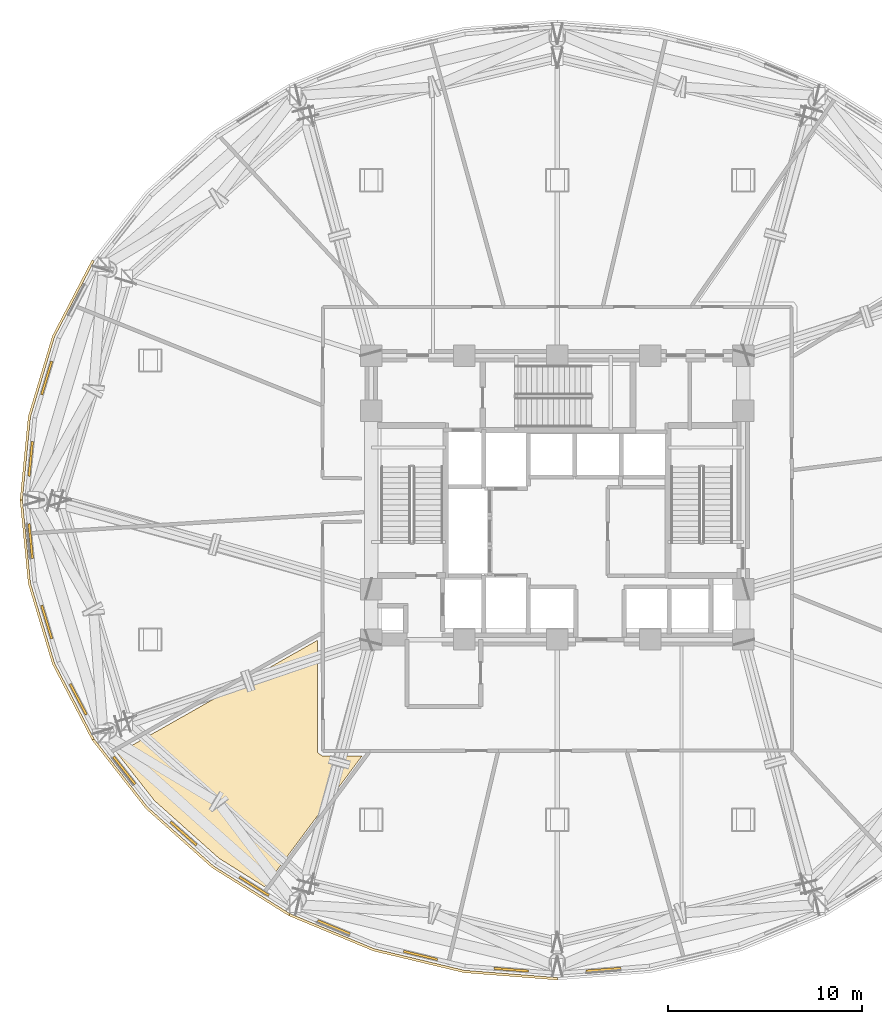
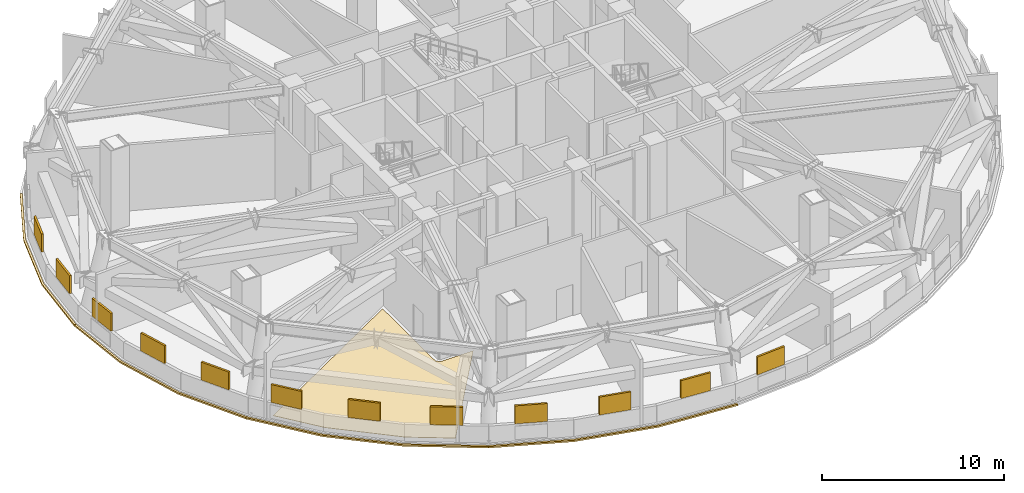
# One storey, part 10 of 14: 12 shading devices, 5 coverings.
"""IFC4 building model written with IfcOpenShell, lengths in metres."""

from ifc_helpers import new_model, si_unit, direction, frame, origin, origin_2d, place, context, subcontext, project, spatial, polyline, rectangle, outline, extrude, material, layer, layer_set, type_object, element, save


model = new_model("IFC4")

# Units and contexts
model_context = context("Model", 3, precision=1e-05, world=origin(), true_north=direction((0.0, 1.0)))
body_context = subcontext(model_context, "Body", "Model", "MODEL_VIEW")
ifc_project = project(units=[si_unit("LENGTHUNIT", "METRE"), si_unit("AREAUNIT", "SQUARE_METRE"), si_unit("VOLUMEUNIT", "CUBIC_METRE"), si_unit("PLANEANGLEUNIT", "RADIAN"), si_unit("MASSUNIT", "GRAM", prefix="KILO")], contexts=[model_context])

# Site, building, storey
site_placement = place(None, origin())
site = spatial("IfcSite", under=ifc_project, at=site_placement, CompositionType="ELEMENT")
building_placement = place(site_placement, origin())
building = spatial("IfcBuilding", under=site, at=building_placement, Name="Vantalir Tower", CompositionType="ELEMENT")
storey_placement = place(building_placement, frame((0.0, 0.0, 90.75)))
storey = spatial("IfcBuildingStorey", under=building, at=storey_placement, Name="L22", CompositionType="ELEMENT", Elevation=90.75)

# Coverings
ifc_material_1 = material(Name="Anodised champagne aluminium sill fascia", Category="aluminium")
ifc_layer_1 = layer(ifc_material_1, 0.125)
ifc_layer_set_1 = layer_set([ifc_layer_1], Name="Anodised champagne aluminium sill fascia")
covering_type_1 = type_object("IfcCoveringType", Name="COV-SLAB-FASCIA-125", PredefinedType="CLADDING", material=ifc_layer_set_1)
covering_1_placement = place(storey_placement, frame((0.0, 0.0, -0.179931640625)))
element("IfcCovering", 1, at=covering_1_placement, inside=storey, type_object=covering_type_1, Name="L22 Perimeter Slab-Edge Sill Fascia 06", PredefinedType="CLADDING", context=body_context, shape_type="SweptSolid", body=[
    extrude(outline(polyline([(7.489013671875, 37.384033203125), (5.447021484375, 33.470947265625), (4.196044921875, 29.301025390625), (3.77490234375, 25.0), (3.89990234375, 25.0), (4.319091796875, 29.279052734375), (5.56396484375, 33.427978515625), (7.597900390625, 37.321044921875), (7.489013671875, 37.384033203125)])), origin(), (0.0, 0.0, 1.0), 0.10498046875),
])
covering_2_placement = place(storey_placement, frame((0.0, 0.0, -0.179931640625)))
element("IfcCovering", 2, at=covering_2_placement, inside=storey, type_object=covering_type_1, Name="L22 Perimeter Slab-Edge Sill Fascia 07", PredefinedType="CLADDING", context=body_context, shape_type="SweptSolid", body=[
    extrude(outline(polyline([(3.77490234375, 25.0), (4.196044921875, 20.698974609375), (5.447021484375, 16.529052734375), (7.489013671875, 12.615966796875), (7.597900390625, 12.677978515625), (5.56396484375, 16.572021484375), (4.319091796875, 20.720947265625), (3.89990234375, 25.0), (3.77490234375, 25.0)])), origin(), (0.0, 0.0, 1.0), 0.10498046875),
])
covering_3_placement = place(storey_placement, frame((0.0, 0.0, -0.179931640625)))
element("IfcCovering", 3, at=covering_3_placement, inside=storey, type_object=covering_type_1, Name="L22 Perimeter Slab-Edge Sill Fascia 08", PredefinedType="CLADDING", context=body_context, shape_type="SweptSolid", body=[
    extrude(outline(polyline([(7.489013671875, 12.615966796875), (10.260986328125, 9.0791015625), (13.678955078125, 6.027099609375), (17.636962890625, 3.550048828125), (17.699951171875, 3.658935546875), (13.759033203125, 6.1220703125), (10.35693359375, 9.159912109375), (7.597900390625, 12.677978515625), (7.489013671875, 12.615966796875)])), origin(), (0.0, 0.0, 1.0), 0.10498046875),
])
covering_4_placement = place(storey_placement, frame((0.0, 0.0, -0.179931640625)))
element("IfcCovering", 4, at=covering_4_placement, inside=storey, type_object=covering_type_1, Name="L22 Perimeter Slab-Edge Sill Fascia 09", PredefinedType="CLADDING", context=body_context, shape_type="SweptSolid", body=[
    extrude(outline(polyline([(17.636962890625, 3.550048828125), (22.01708984375, 1.72607421875), (26.68603515625, 0.60791015625), (31.5, 0.23193359375), (31.5, 0.35693359375), (26.70703125, 0.73095703125), (22.06005859375, 1.843017578125), (17.699951171875, 3.658935546875), (17.636962890625, 3.550048828125)])), origin(), (0.0, 0.0, 1.0), 0.10498046875),
])
ifc_material_2 = material(Name="Tropical teak timber and terrazzo floor finish", Category="wood")
ifc_layer_2 = layer(ifc_material_2, 0.02490234375)
ifc_layer_set_2 = layer_set([ifc_layer_2], Name="Tropical teak timber and terrazzo floor finish")
covering_type_2 = type_object("IfcCoveringType", Name="COV-TIMBER-STONE-25", PredefinedType="FLOORING", material=ifc_layer_set_2)
covering_5_placement = place(storey_placement, origin())
element("IfcCovering", 5, at=covering_5_placement, inside=storey, type_object=covering_type_2, Name="L22 HV Transformer Electrical Plant Room Floor Finish", PredefinedType="FLOORING", context=body_context, shape_type="SweptSolid", body=[
    extrude(outline(polyline([(16.39794921875, 5.0390625), (21.419921875, 11.7900390625), (19.375, 11.7900390625), (19.135986328125, 11.9609375), (19.125, 17.760986328125), (8.805908203125, 11.916015625), (10.708984375, 9.489990234375), (14.048095703125, 6.507080078125), (16.39794921875, 5.0390625)])), origin(), (0.0, 0.0, 1.0), 0.02490234375),
])

# Shading devices
ifc_material_3 = material(Name="Champagne-silver PVDF aluminium storm louvre", Category="aluminium")
ifc_layer_3 = layer(ifc_material_3, 0.1201171875)
ifc_layer_set_3 = layer_set([ifc_layer_3], Name="Champagne-silver PVDF aluminium storm louvre")
shading_device_type = type_object("IfcShadingDeviceType", Name="SHD-STORM-LOUVRE", PredefinedType="JALOUSIE", material=ifc_layer_set_3)
for number, where, z_axis, x_axis, name in (
    (6, (5.153076171875, 31.297119140625, 1.1162109375), (0.0, 0.0, 1.0), (-0.287644698852, -0.957737191103, 0.0), "L22 Acoustic Storm Louvre R17"),
    (7, (4.327880859375, 27.1201171875, 1.1162109375), (0.0, 0.0, 1.0), (-0.09761763969, -0.99522399309, 0.0), "L22 Acoustic Storm Louvre R18"),
    (8, (4.327880859375, 22.8798828125, 1.1162109375), (0.0, 0.0, 1.0), (0.09761763969, -0.99522399309, 0.0), "L22 Acoustic Storm Louvre R19"),
    (9, (5.153076171875, 18.702880859375, 1.1162109375), (0.0, 0.0, 1.0), (0.287644698852, -0.957737191103, 0.0), "L22 Acoustic Storm Louvre R20"),
    (10, (6.780029296875, 14.718017578125, 1.1162109375), (0.0, 0.0, 1.0), (0.463218697504, -0.886244006063, 0.0), "L22 Acoustic Storm Louvre R21"),
    (11, (9.156982421875, 11.0439453125, 1.1162109375), (0.0, 0.0, 1.0), (0.617571381834, -0.786514836694, 0.0), "L22 Acoustic Storm Louvre R22"),
    (12, (12.212890625, 7.7958984375, 1.1162109375), (0.0, 0.0, 1.0), (0.746208439614, -0.665712373814, 0.0), "L22 Acoustic Storm Louvre R23"),
    (13, (15.85498046875, 5.070068359375, 1.1162109375), (0.0, 0.0, 1.0), (0.848168309194, -0.529726834585, 0.0), "L22 Acoustic Storm Louvre R24"),
    (14, (19.971923828125, 2.949951171875, 1.1162109375), (0.0, 0.0, 1.0), (0.923310793754, -0.384053613623, 0.0), "L22 Acoustic Storm Louvre R25"),
    (15, (24.43994140625, 1.4990234375, 1.1162109375), (0.0, 0.0, 1.0), (0.972609793841, -0.23244394792, 0.0), "L22 Acoustic Storm Louvre R26"),
    (16, (29.123046875, 0.761962890625, 1.1162109375), (0.0, 0.0, 1.0), (0.996969150516, -0.077797897906, 0.0), "L22 Acoustic Storm Louvre R27"),
    (17, (33.876953125, 0.761962890625, 1.1162109375), (0.0, 0.0, 1.0), (0.996969150516, 0.077797897906, 0.0), "L22 Acoustic Storm Louvre R28"),
):
    element("IfcShadingDevice", number, at=place(storey_placement, frame(where, z_axis=z_axis, x_axis=x_axis)), inside=storey, type_object=shading_device_type, Name=name, PredefinedType="JALOUSIE", context=body_context, shape_type="SweptSolid", body=[
        extrude(rectangle(XDim=1.800048828125, YDim=0.1201171875, at=origin_2d()), origin(), (0.0, 0.0, 1.0), 1.199951171875),
    ])

save(model, "model.ifc")
